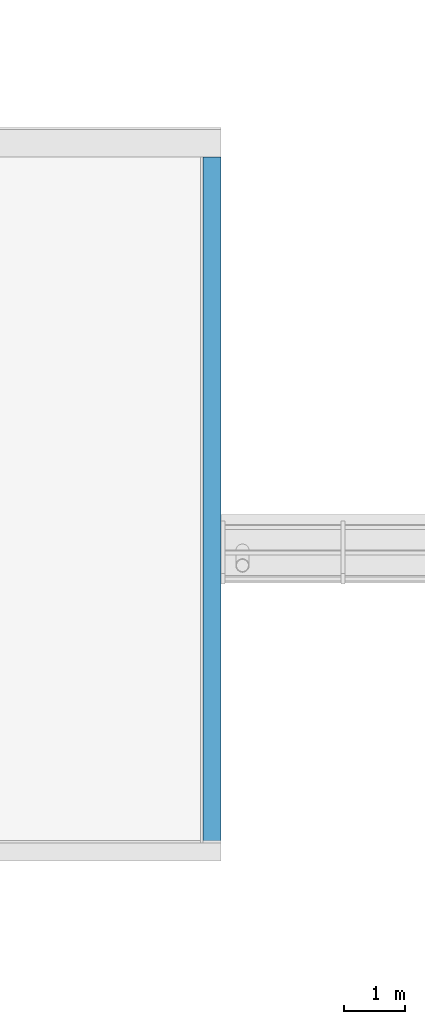
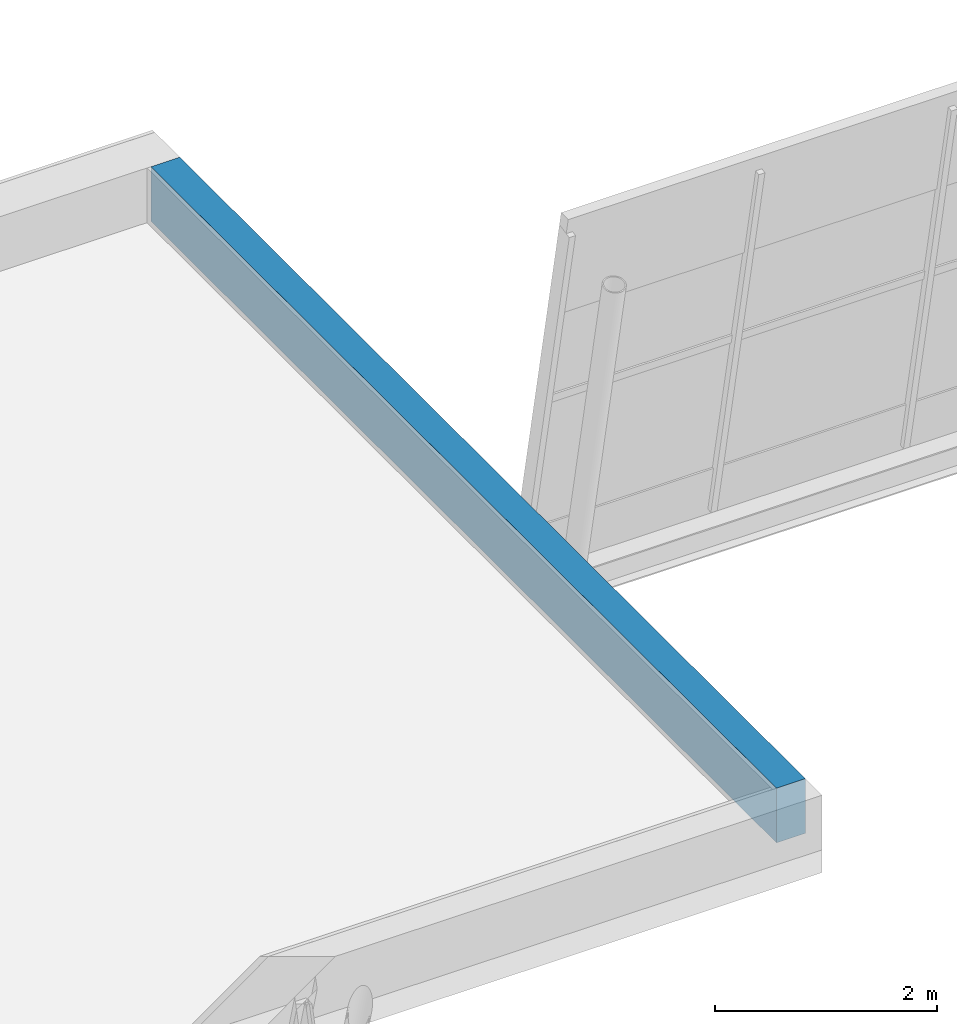
# One storey, part 30 of 50: 1 wall.
"""IFC4 building model written with IfcOpenShell, lengths in metres."""

from ifc_helpers import new_model, si_unit, direction, frame, frame_2d, origin, place, context, subcontext, project, spatial, rectangle, extrude, material, layer, layer_set, type_object, element, save


model = new_model("IFC4")

# Units and contexts
model_context = context("Model", 3, precision=1e-05, world=origin(), true_north=direction((0.0, 1.0)))
body_context = subcontext(model_context, "Body", "Model", "MODEL_VIEW")
ifc_project = project(units=[si_unit("LENGTHUNIT", "METRE"), si_unit("AREAUNIT", "SQUARE_METRE"), si_unit("VOLUMEUNIT", "CUBIC_METRE"), si_unit("PLANEANGLEUNIT", "RADIAN"), si_unit("MASSUNIT", "GRAM", prefix="KILO")], contexts=[model_context])

# Site, building, storey
site_placement = place(None, origin())
site = spatial("IfcSite", under=ifc_project, at=site_placement, CompositionType="ELEMENT")
building_placement = place(site_placement, origin())
building = spatial("IfcBuilding", under=site, at=building_placement, Name="Windward Yard Aquatics Centre", CompositionType="ELEMENT")
storey_placement = place(building_placement, frame((0.0, 0.0, 18.199951171875)))
storey = spatial("IfcBuildingStorey", under=building, at=storey_placement, Name="L04", CompositionType="ELEMENT", Elevation=18.199951171875)

# Wall
ifc_material = material(Name="Concrete C35/45", Category="concrete")
ifc_layer = layer(ifc_material, 0.300048828125)
ifc_layer_set = layer_set([ifc_layer], Name="H core parapet 300 C35/45")
wall_type = type_object("IfcWallType", Name="H core parapet 300 C35/45", PredefinedType="PARAPET", material=ifc_layer_set)
wall_placement = place(storey_placement, frame((63.85009765625, 95.550048828125, 0.25), z_axis=(0.0, 0.0, 1.0), x_axis=(0.0, -1.0, 0.0)))
element("IfcWall", 1, at=wall_placement, inside=storey, type_object=wall_type, Name="H.CP.NW.E", PredefinedType="PARAPET", context=body_context, shape_type="SweptSolid", body=[
    extrude(rectangle(XDim=11.25, YDim=0.300048828125, at=frame_2d((5.625, 0.0))), origin(), (0.0, 0.0, 1.0), 0.60009765625),
])

save(model, "model.ifc")
